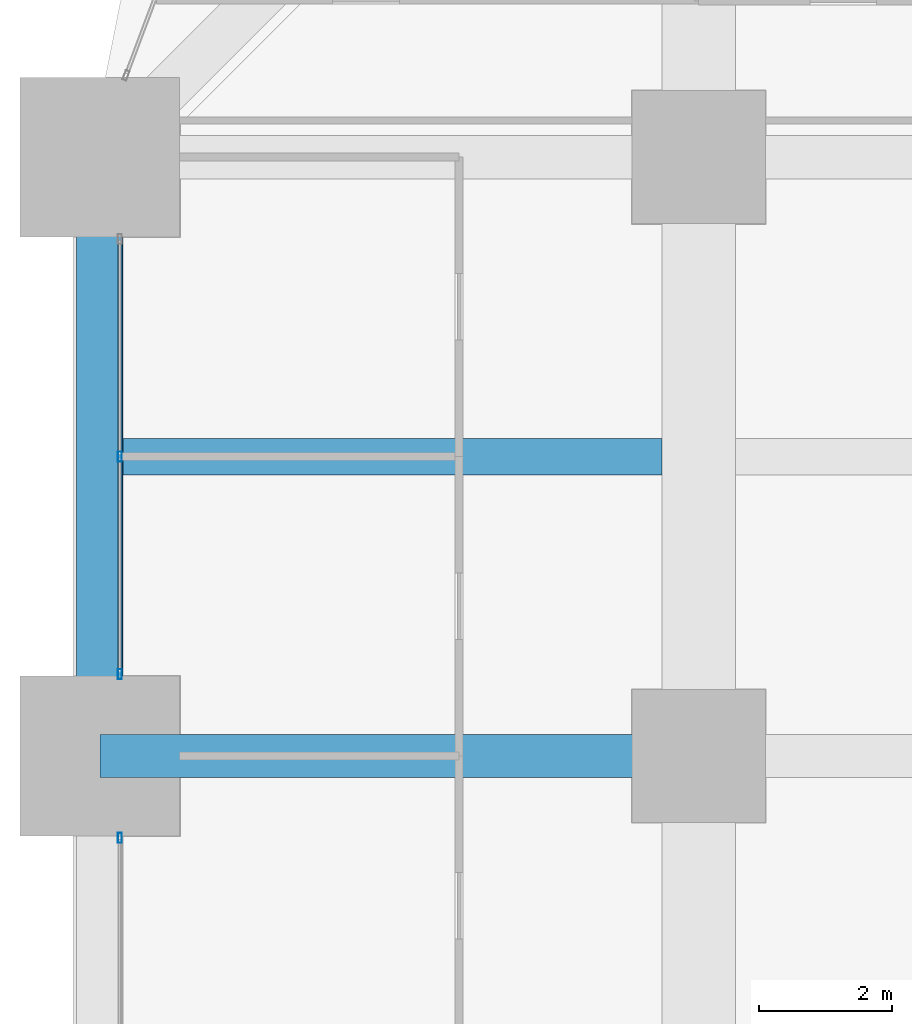
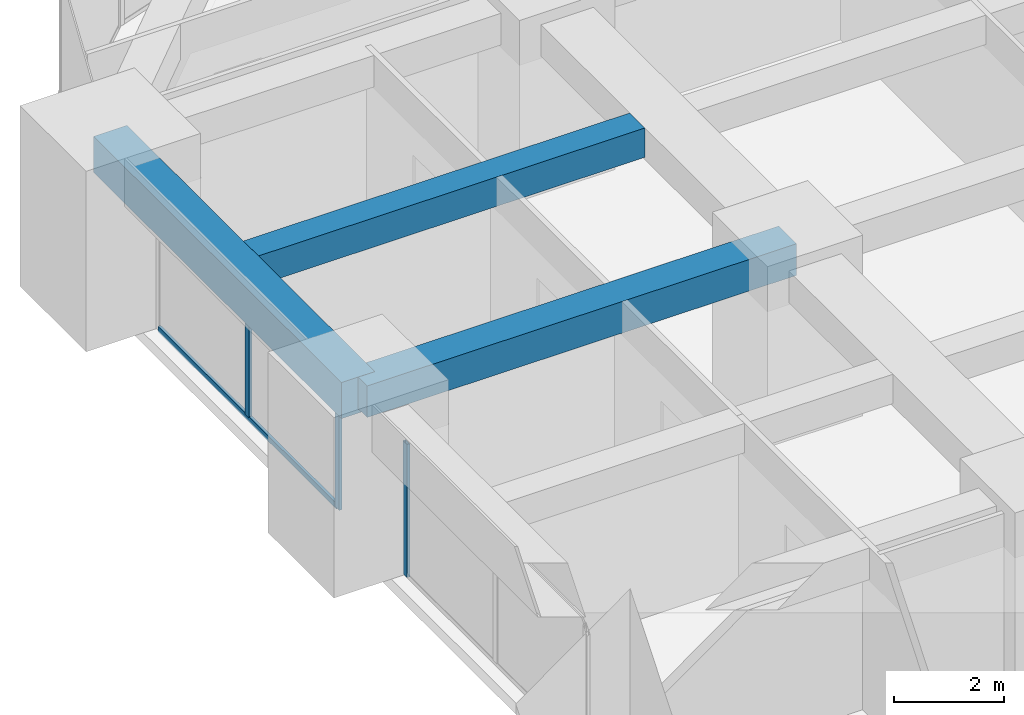
# One storey, part 11 of 41: 4 members, 3 beams, 2 elements without a shape of their own.
"""IFC4 building model written with IfcOpenShell, lengths in metres."""

from ifc_helpers import new_model, si_unit, direction, frame, origin, origin_2d, place, context, subcontext, project, spatial, rectangle, hollow_rectangle, extrude, material, material_profile, profile_set, type_object, element, aggregate, save


model = new_model("IFC4")

# Units and contexts
model_context = context("Model", 3, precision=1e-05, world=origin(), true_north=direction((0.0, 1.0)))
body_context = subcontext(model_context, "Body", "Model", "MODEL_VIEW")
ifc_project = project(units=[si_unit("LENGTHUNIT", "METRE"), si_unit("AREAUNIT", "SQUARE_METRE"), si_unit("VOLUMEUNIT", "CUBIC_METRE"), si_unit("PLANEANGLEUNIT", "RADIAN"), si_unit("MASSUNIT", "GRAM", prefix="KILO")], contexts=[model_context])

# Site, building, storey
site_placement = place(None, origin())
site = spatial("IfcSite", under=ifc_project, at=site_placement, CompositionType="ELEMENT")
building_placement = place(site_placement, origin())
building = spatial("IfcBuilding", under=site, at=building_placement, Name="Zorevar Civic Tower", CompositionType="ELEMENT")
storey_placement = place(building_placement, frame((0.0, 0.0, 113.0)))
storey = spatial("IfcBuildingStorey", under=building, at=storey_placement, Name="L27", CompositionType="ELEMENT", Elevation=113.0)

# Beams
ifc_material_1 = material(Name="Concrete C50/60", Category="concrete")
ifc_material_profile_1 = material_profile(ifc_material_1, rectangle(XDim=0.550048828125, YDim=0.64990234375, at=origin_2d()), Name="RC 550x650")
ifc_profile_set_1 = profile_set([ifc_material_profile_1], Name="Concrete C50/60")
beam_type_1 = type_object("IfcBeamType", Name="Beam RC 550x650", PredefinedType="BEAM", material=ifc_profile_set_1)
beam_1_placement = place(storey_placement, frame((0.35009765625, 31.5, 3.425048828125), z_axis=(1.0, 0.0, 0.0), x_axis=(0.0, 1.0, 0.0)))
element("IfcBeam", 1, at=beam_1_placement, inside=storey, type_object=beam_type_1, Name="Secondary beam L28", PredefinedType="BEAM", context=body_context, shape_type="SweptSolid", body=[
    extrude(rectangle(XDim=0.550048828125, YDim=0.64990234375, at=origin_2d()), origin(), (0.0, 0.0, 1.0), 8.099853515625),
])
ifc_material_2 = material(Name="Concrete C50/60", Category="concrete")
ifc_material_profile_2 = material_profile(ifc_material_2, rectangle(XDim=0.64990234375, YDim=0.699951171875, at=origin_2d()), Name="RC 650x700")
ifc_profile_set_2 = profile_set([ifc_material_profile_2], Name="Concrete C50/60")
beam_type_2 = type_object("IfcBeamType", Name="Beam RC 650x700", PredefinedType="BEAM", material=ifc_profile_set_2)
beam_2_placement = place(storey_placement, frame((0.0, 27.0, 3.39990234375), z_axis=(1.0, 0.0, 0.0), x_axis=(0.0, 1.0, 0.0)))
element("IfcBeam", 2, at=beam_2_placement, inside=storey, type_object=beam_type_2, Name="Girder L28", PredefinedType="BEAM", context=body_context, shape_type="SweptSolid", body=[
    extrude(rectangle(XDim=0.64990234375, YDim=0.699951171875, at=origin_2d()), origin(), (0.0, 0.0, 1.0), 9.0),
])

# Curtain wall, member
ifc_material_3 = material(Name="Dark grey solar-control glass in black aluminium frame", Category="aluminium")
curtain_wall_type = type_object("IfcCurtainWallType", Name="Curtain wall CW3 mid zone", PredefinedType="NOTDEFINED", material=ifc_material_3)
curtain_wall_1_placement = place(storey_placement, origin())
curtain_wall_1 = element("IfcCurtainWall", 3, at=curtain_wall_1_placement, inside=storey, type_object=curtain_wall_type, Name="CW3 L27", PredefinedType="NOTDEFINED")
ifc_material_4 = material(Name="Aluminium, black anodised", Category="aluminium")
ifc_material_profile_3 = material_profile(ifc_material_4, hollow_rectangle(XDim=0.06005859375, YDim=0.14990234375, WallThickness=0.00390625, at=origin_2d()), Name="AL 150x60x4")
ifc_profile_set_3 = profile_set([ifc_material_profile_3], Name="Aluminium, black anodised")
member_type_1 = type_object("IfcMemberType", Name="CW3 mullion AL 150x60x4", PredefinedType="MULLION", material=ifc_profile_set_3)
member_1_placement = place(storey_placement, frame((0.300048828125, 25.77001953125, 0.0), z_axis=(0.0, 0.0, 1.0), x_axis=(-1.0, 0.0, 0.0)))
member_1 = element("IfcMember", 4, at=member_1_placement, type_object=member_type_1, Name="CW3 mullion 3", PredefinedType="MULLION", context=body_context, shape_type="SweptSolid", body=[
    extrude(hollow_rectangle(XDim=0.06005859375, YDim=0.14990234375, WallThickness=0.00390625, at=origin_2d()), origin(), (0.0, 0.0, 1.0), 2.949951171875),
])
aggregate(curtain_wall_1, [member_1])

# Curtain wall, members
curtain_wall_2_placement = place(storey_placement, origin())
curtain_wall_2 = element("IfcCurtainWall", 5, at=curtain_wall_2_placement, inside=storey, type_object=curtain_wall_type, Name="CW3 L27", PredefinedType="NOTDEFINED")
member_2_placement = place(storey_placement, frame((0.300048828125, 28.22998046875, 0.0), z_axis=(0.0, 0.0, 1.0), x_axis=(-1.0, 0.0, 0.0)))
member_2 = element("IfcMember", 6, at=member_2_placement, type_object=member_type_1, Name="CW3 mullion 1", PredefinedType="MULLION", context=body_context, shape_type="SweptSolid", body=[
    extrude(hollow_rectangle(XDim=0.06005859375, YDim=0.14990234375, WallThickness=0.00390625, at=origin_2d()), origin(), (0.0, 0.0, 1.0), 2.949951171875),
])
member_3_placement = place(storey_placement, frame((0.300048828125, 31.5, 0.06005859375), z_axis=(0.0, 0.0, 1.0), x_axis=(-1.0, 0.0, 0.0)))
member_3 = element("IfcMember", 7, at=member_3_placement, type_object=member_type_1, Name="CW3 mullion 2", PredefinedType="MULLION", context=body_context, shape_type="SweptSolid", body=[
    extrude(hollow_rectangle(XDim=0.06005859375, YDim=0.14990234375, WallThickness=0.00390625, at=origin_2d()), origin(), (0.0, 0.0, 1.0), 2.889892578125),
])
ifc_material_5 = material(Name="Aluminium, black anodised", Category="aluminium")
ifc_material_profile_4 = material_profile(ifc_material_5, hollow_rectangle(XDim=0.06005859375, YDim=0.1201171875, WallThickness=0.0029296875, at=origin_2d()), Name="AL 120x60x3")
ifc_profile_set_4 = profile_set([ifc_material_profile_4], Name="Aluminium, black anodised")
member_type_2 = type_object("IfcMemberType", Name="CW3 transom AL 120x60x3", PredefinedType="USERDEFINED", material=ifc_profile_set_4)
member_4_placement = place(storey_placement, frame((0.300048828125, 28.260009765625, 0.030029296875), z_axis=(0.0, 1.0, 0.0), x_axis=(-1.0, 0.0, 0.0)))
member_4 = element("IfcMember", 8, at=member_4_placement, type_object=member_type_2, Name="CW3 sill transom", ObjectType="TRANSOM", PredefinedType="USERDEFINED", context=body_context, shape_type="SweptSolid", body=[
    extrude(hollow_rectangle(XDim=0.06005859375, YDim=0.1201171875, WallThickness=0.0029296875, at=origin_2d()), origin(), (0.0, 0.0, 1.0), 6.47998046875),
])
aggregate(curtain_wall_2, [member_2, member_3, member_4])

# Beam
ifc_material_6 = material(Name="Concrete C50/60", Category="concrete")
ifc_material_profile_5 = material_profile(ifc_material_6, rectangle(XDim=0.699951171875, YDim=0.800048828125, at=origin_2d()), Name="RC 700x800")
ifc_profile_set_5 = profile_set([ifc_material_profile_5], Name="Concrete C50/60")
beam_type_3 = type_object("IfcBeamType", Name="Edge beam RC 700x800", PredefinedType="SPANDREL", material=ifc_profile_set_5)
beam_3_placement = place(storey_placement, frame((0.0, 27.0, 3.35009765625), z_axis=(0.0, 1.0, 0.0), x_axis=(-1.0, 0.0, 0.0)))
element("IfcBeam", 9, at=beam_3_placement, inside=storey, type_object=beam_type_3, Name="Edge beam L28", PredefinedType="SPANDREL", context=body_context, shape_type="SweptSolid", body=[
    extrude(rectangle(XDim=0.699951171875, YDim=0.800048828125, at=origin_2d()), origin(), (0.0, 0.0, 1.0), 9.0),
])

save(model, "model.ifc")
